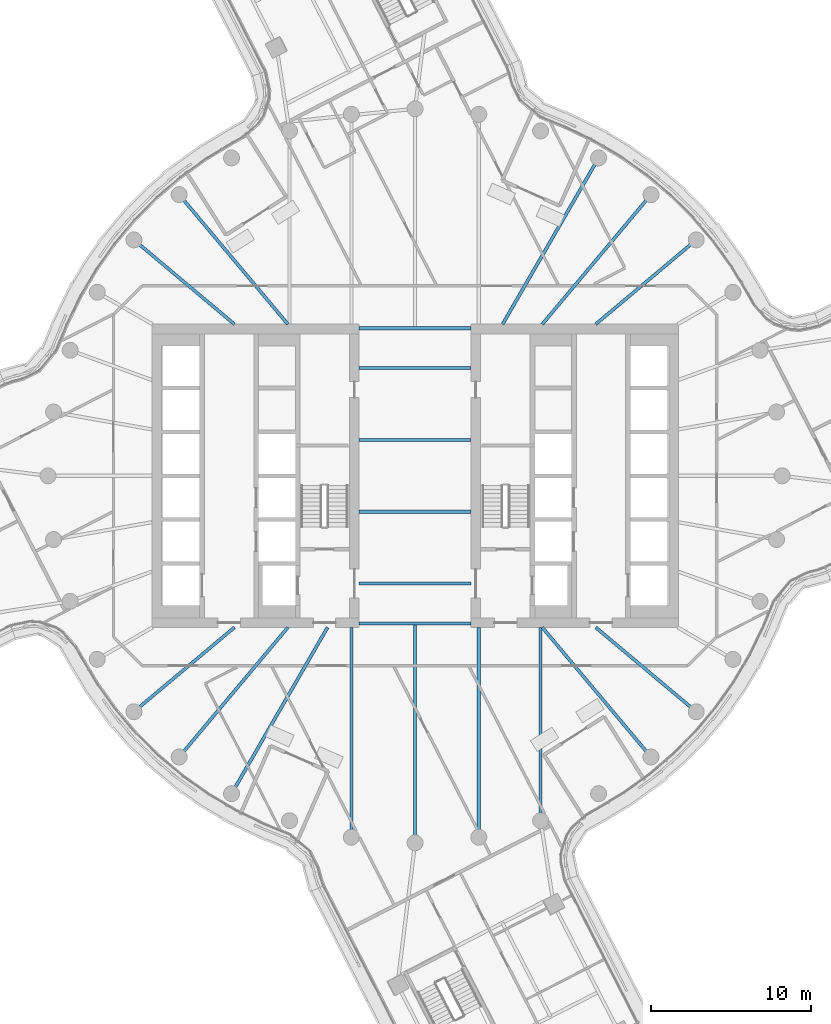
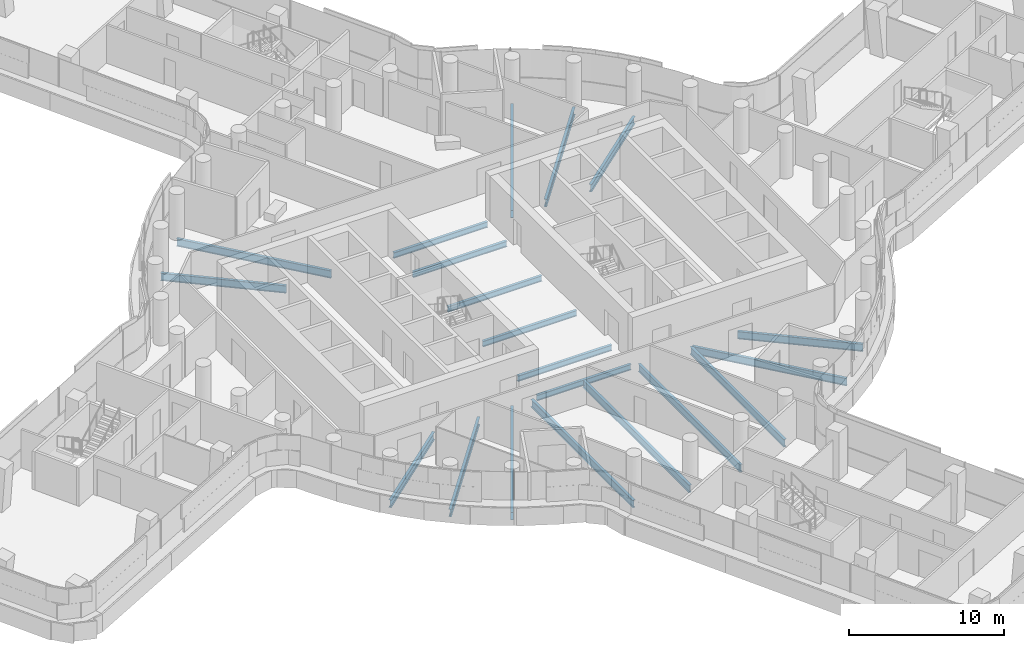
# One storey, part 9 of 37: 20 beams.
"""IFC4 building model written with IfcOpenShell, lengths in metres."""

from ifc_helpers import new_model, si_unit, direction, frame, origin, origin_2d, place, context, subcontext, project, spatial, i_section, extrude, material, material_profile, profile_set, type_object, element, save


model = new_model("IFC4")

# Units and contexts
model_context = context("Model", 3, precision=1e-05, world=origin(), true_north=direction((0.0, 1.0)))
body_context = subcontext(model_context, "Body", "Model", "MODEL_VIEW")
ifc_project = project(units=[si_unit("LENGTHUNIT", "METRE"), si_unit("AREAUNIT", "SQUARE_METRE"), si_unit("VOLUMEUNIT", "CUBIC_METRE"), si_unit("PLANEANGLEUNIT", "RADIAN"), si_unit("MASSUNIT", "GRAM", prefix="KILO")], contexts=[model_context])

# Site, building, storey
site_placement = place(None, origin())
site = spatial("IfcSite", under=ifc_project, at=site_placement, CompositionType="ELEMENT")
building_placement = place(site_placement, origin())
building = spatial("IfcBuilding", under=site, at=building_placement, Name="Tamarind Cross Interchange Tower", CompositionType="ELEMENT")
storey_placement = place(building_placement, frame((0.0, 0.0, 133.0)))
storey = spatial("IfcBuildingStorey", under=building, at=storey_placement, Name="L32", CompositionType="ELEMENT", Elevation=133.0)

# Beams
ifc_material = material(Name="Steel Q355B", Category="steel")
ifc_material_profile_1 = material_profile(ifc_material, i_section(OverallWidth=0.198974609375, OverallDepth=0.446044921875, WebThickness=0.008056640625, FlangeThickness=0.011962890625, FilletRadius=0.012939453125, at=origin_2d()), Name="HN 446x199x8x12")
ifc_profile_set_1 = profile_set([ifc_material_profile_1], Name="Steel Q355B")
beam_type_1 = type_object("IfcBeamType", Name="Composite beam HN 446x199x8x12 Q355B", PredefinedType="BEAM", material=ifc_profile_set_1)
for number, where, z_axis, x_axis, name in (
    (1, (-3.5, -2.25, -0.363037109375), (1.0, 0.0, 0.0), (0.0, 1.0, 0.0), "Beam G-2.25"),
    (2, (-3.5, -6.75, -0.363037109375), (1.0, 0.0, 0.0), (0.0, 1.0, 0.0), "Beam G-6.75"),
    (3, (-3.5, -9.25, -0.363037109375), (1.0, 0.0, 0.0), (0.0, 1.0, 0.0), "Beam G-9.25"),
    (4, (-3.5, 2.25, -0.363037109375), (1.0, 0.0, 0.0), (0.0, 1.0, 0.0), "Beam G2.25"),
    (5, (-3.5, 6.75, -0.363037109375), (1.0, 0.0, 0.0), (0.0, 1.0, 0.0), "Beam G6.75"),
    (6, (-3.5, 9.25, -0.363037109375), (1.0, 0.0, 0.0), (0.0, 1.0, 0.0), "Beam G9.25"),
):
    element("IfcBeam", number, at=place(storey_placement, frame(where, z_axis=z_axis, x_axis=x_axis)), inside=storey, type_object=beam_type_1, Name=name, PredefinedType="BEAM", context=body_context, shape_type="SweptSolid", body=[
        extrude(i_section(OverallWidth=0.198974609375, OverallDepth=0.446044921875, WebThickness=0.008056640625, FlangeThickness=0.011962890625, FilletRadius=0.012939453125, at=origin_2d()), origin(), (0.0, 0.0, 1.0), 7.0),
    ])
ifc_material_profile_2 = material_profile(ifc_material, i_section(OverallWidth=0.198974609375, OverallDepth=0.595947265625, WebThickness=0.010009765625, FlangeThickness=0.014892578125, FilletRadius=0.012939453125, at=origin_2d()), Name="HN 596x199x10x15")
ifc_profile_set_2 = profile_set([ifc_material_profile_2], Name="Steel Q355B")
beam_type_2 = type_object("IfcBeamType", Name="Composite beam HN 596x199x10x15 Q355B", PredefinedType="BEAM", material=ifc_profile_set_2)
beam_1_placement = place(storey_placement, frame((17.619140625, 14.7841796875, -0.43798828125), z_axis=(-0.766040580814, -0.642792212574, 0.0), x_axis=(0.642792212574, -0.766040580814, 0.0)))
element("IfcBeam", 7, at=beam_1_placement, inside=storey, type_object=beam_type_2, Name="Beam HH04", PredefinedType="BEAM", context=body_context, shape_type="SweptSolid", body=[
    extrude(i_section(OverallWidth=0.198974609375, OverallDepth=0.595947265625, WebThickness=0.010009765625, FlangeThickness=0.014892578125, FilletRadius=0.012939453125, at=origin_2d()), origin(), (0.0, 0.0, 1.0), 8.220703125),
])
beam_2_placement = place(storey_placement, frame((14.7841796875, 17.619140625, -0.43798828125), z_axis=(-0.642786293979, -0.766045547127, 0.0), x_axis=(0.766045547127, -0.642786293979, 0.0)))
element("IfcBeam", 8, at=beam_2_placement, inside=storey, type_object=beam_type_2, Name="Beam HH05", PredefinedType="BEAM", context=body_context, shape_type="SweptSolid", body=[
    extrude(i_section(OverallWidth=0.198974609375, OverallDepth=0.595947265625, WebThickness=0.010009765625, FlangeThickness=0.014892578125, FilletRadius=0.012939453125, at=origin_2d()), origin(), (0.0, 0.0, 1.0), 10.598876953125),
])
beam_3_placement = place(storey_placement, frame((11.5, 19.918701171875, -0.43798828125), z_axis=(-0.499993565836, -0.866029118519, 0.0), x_axis=(0.866029118519, -0.499993565836, 0.0)))
element("IfcBeam", 9, at=beam_3_placement, inside=storey, type_object=beam_type_2, Name="Beam HH06", PredefinedType="BEAM", context=body_context, shape_type="SweptSolid", body=[
    extrude(i_section(OverallWidth=0.198974609375, OverallDepth=0.595947265625, WebThickness=0.010009765625, FlangeThickness=0.014892578125, FilletRadius=0.012939453125, at=origin_2d()), origin(), (0.0, 0.0, 1.0), 12.030517578125),
])
beam_4_placement = place(storey_placement, frame((-14.7841796875, 17.619140625, -0.43798828125), z_axis=(0.642786293979, -0.766045547127, 0.0), x_axis=(0.766045547127, 0.642786293979, 0.0)))
element("IfcBeam", 10, at=beam_4_placement, inside=storey, type_object=beam_type_2, Name="Beam HH13", PredefinedType="BEAM", context=body_context, shape_type="SweptSolid", body=[
    extrude(i_section(OverallWidth=0.198974609375, OverallDepth=0.595947265625, WebThickness=0.010009765625, FlangeThickness=0.014892578125, FilletRadius=0.012939453125, at=origin_2d()), origin(), (0.0, 0.0, 1.0), 10.598876953125),
])
for number, where, z_axis, x_axis, name in (
    (11, (-17.619140625, 14.7841796875, -0.43798828125), (0.766040580814, -0.642792212574, 0.0), (0.642792212574, 0.766040580814, 0.0), "Beam HH14"),
    (12, (-17.619140625, -14.7841796875, -0.43798828125), (0.766040580814, 0.642792212574, 0.0), (-0.642792212574, 0.766040580814, 0.0), "Beam HH22"),
):
    element("IfcBeam", number, at=place(storey_placement, frame(where, z_axis=z_axis, x_axis=x_axis)), inside=storey, type_object=beam_type_2, Name=name, PredefinedType="BEAM", context=body_context, shape_type="SweptSolid", body=[
        extrude(i_section(OverallWidth=0.198974609375, OverallDepth=0.595947265625, WebThickness=0.010009765625, FlangeThickness=0.014892578125, FilletRadius=0.012939453125, at=origin_2d()), origin(), (0.0, 0.0, 1.0), 8.220703125),
    ])
beam_5_placement = place(storey_placement, frame((-14.7841796875, -17.619140625, -0.43798828125), z_axis=(0.642786293979, 0.766045547127, 0.0), x_axis=(-0.766045547127, 0.642786293979, 0.0)))
element("IfcBeam", 13, at=beam_5_placement, inside=storey, type_object=beam_type_2, Name="Beam HH23", PredefinedType="BEAM", context=body_context, shape_type="SweptSolid", body=[
    extrude(i_section(OverallWidth=0.198974609375, OverallDepth=0.595947265625, WebThickness=0.010009765625, FlangeThickness=0.014892578125, FilletRadius=0.012939453125, at=origin_2d()), origin(), (0.0, 0.0, 1.0), 10.598876953125),
])
beam_6_placement = place(storey_placement, frame((-11.5, -19.918701171875, -0.43798828125), z_axis=(0.499993565836, 0.866029118519, 0.0), x_axis=(-0.866029118519, 0.499993565836, 0.0)))
element("IfcBeam", 14, at=beam_6_placement, inside=storey, type_object=beam_type_2, Name="Beam HH24", PredefinedType="BEAM", context=body_context, shape_type="SweptSolid", body=[
    extrude(i_section(OverallWidth=0.198974609375, OverallDepth=0.595947265625, WebThickness=0.010009765625, FlangeThickness=0.014892578125, FilletRadius=0.012939453125, at=origin_2d()), origin(), (0.0, 0.0, 1.0), 12.030517578125),
])
beam_7_placement = place(storey_placement, frame((-3.993896484375, -22.650634765625, -0.43798828125), z_axis=(0.0, 1.0, 0.0), x_axis=(-1.0, 0.0, 0.0)))
element("IfcBeam", 15, at=beam_7_placement, inside=storey, type_object=beam_type_2, Name="Beam HH26", PredefinedType="BEAM", context=body_context, shape_type="SweptSolid", body=[
    extrude(i_section(OverallWidth=0.198974609375, OverallDepth=0.595947265625, WebThickness=0.010009765625, FlangeThickness=0.014892578125, FilletRadius=0.012939453125, at=origin_2d()), origin(), (0.0, 0.0, 1.0), 13.150634765625),
])
beam_8_placement = place(storey_placement, frame((0.0, -23.0, -0.43798828125), z_axis=(0.0, 1.0, 0.0), x_axis=(-1.0, 0.0, 0.0)))
element("IfcBeam", 16, at=beam_8_placement, inside=storey, type_object=beam_type_2, Name="Beam HH27", PredefinedType="BEAM", context=body_context, shape_type="SweptSolid", body=[
    extrude(i_section(OverallWidth=0.198974609375, OverallDepth=0.595947265625, WebThickness=0.010009765625, FlangeThickness=0.014892578125, FilletRadius=0.012939453125, at=origin_2d()), origin(), (0.0, 0.0, 1.0), 13.75),
])
beam_9_placement = place(storey_placement, frame((3.993896484375, -22.650634765625, -0.43798828125), z_axis=(0.0, 1.0, 0.0), x_axis=(-1.0, 0.0, 0.0)))
element("IfcBeam", 17, at=beam_9_placement, inside=storey, type_object=beam_type_2, Name="Beam HH28", PredefinedType="BEAM", context=body_context, shape_type="SweptSolid", body=[
    extrude(i_section(OverallWidth=0.198974609375, OverallDepth=0.595947265625, WebThickness=0.010009765625, FlangeThickness=0.014892578125, FilletRadius=0.012939453125, at=origin_2d()), origin(), (0.0, 0.0, 1.0), 13.150634765625),
])
beam_10_placement = place(storey_placement, frame((7.866455078125, -21.613037109375, -0.43798828125), z_axis=(0.0, 1.0, 0.0), x_axis=(-1.0, 0.0, 0.0)))
element("IfcBeam", 18, at=beam_10_placement, inside=storey, type_object=beam_type_2, Name="Beam HH29", PredefinedType="BEAM", context=body_context, shape_type="SweptSolid", body=[
    extrude(i_section(OverallWidth=0.198974609375, OverallDepth=0.595947265625, WebThickness=0.010009765625, FlangeThickness=0.014892578125, FilletRadius=0.012939453125, at=origin_2d()), origin(), (0.0, 0.0, 1.0), 12.113037109375),
])
beam_11_placement = place(storey_placement, frame((14.7841796875, -17.619140625, -0.43798828125), z_axis=(-0.642786293979, 0.766045547127, 0.0), x_axis=(-0.766045547127, -0.642786293979, 0.0)))
element("IfcBeam", 19, at=beam_11_placement, inside=storey, type_object=beam_type_2, Name="Beam HH31", PredefinedType="BEAM", context=body_context, shape_type="SweptSolid", body=[
    extrude(i_section(OverallWidth=0.198974609375, OverallDepth=0.595947265625, WebThickness=0.010009765625, FlangeThickness=0.014892578125, FilletRadius=0.012939453125, at=origin_2d()), origin(), (0.0, 0.0, 1.0), 10.598876953125),
])
beam_12_placement = place(storey_placement, frame((17.619140625, -14.7841796875, -0.43798828125), z_axis=(-0.766040580814, 0.642792212574, 0.0), x_axis=(-0.642792212574, -0.766040580814, 0.0)))
element("IfcBeam", 20, at=beam_12_placement, inside=storey, type_object=beam_type_2, Name="Beam HH32", PredefinedType="BEAM", context=body_context, shape_type="SweptSolid", body=[
    extrude(i_section(OverallWidth=0.198974609375, OverallDepth=0.595947265625, WebThickness=0.010009765625, FlangeThickness=0.014892578125, FilletRadius=0.012939453125, at=origin_2d()), origin(), (0.0, 0.0, 1.0), 8.220703125),
])

save(model, "model.ifc")
